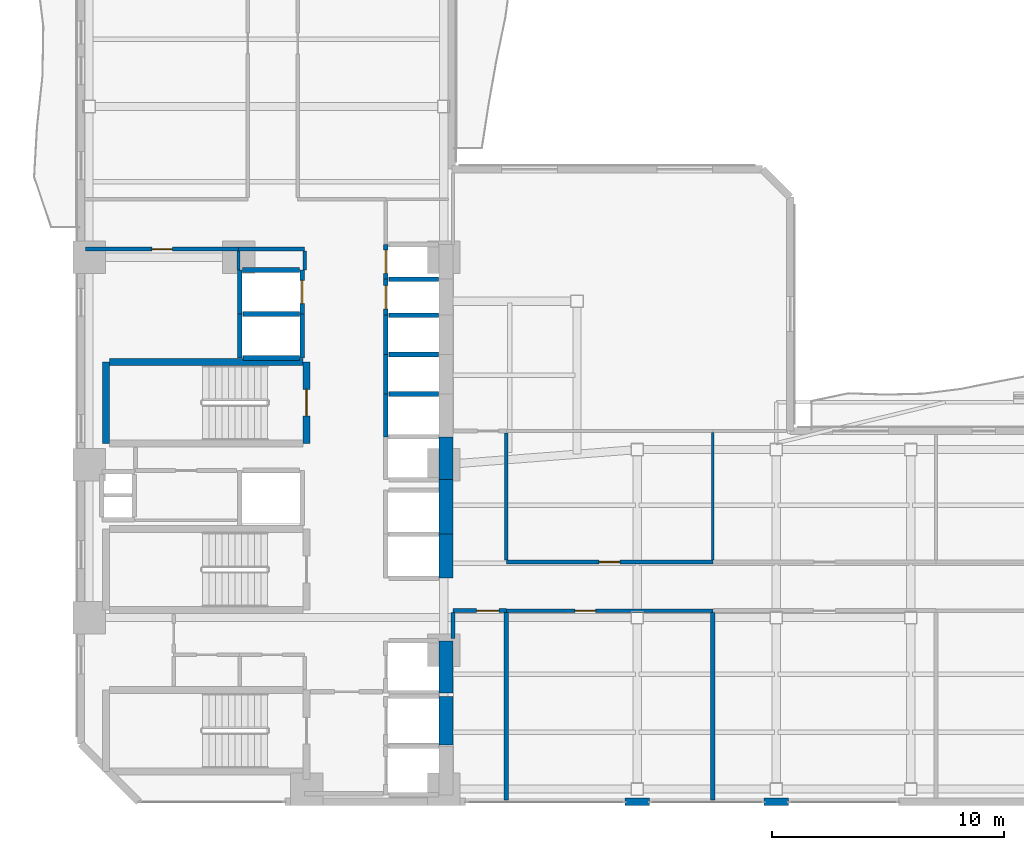
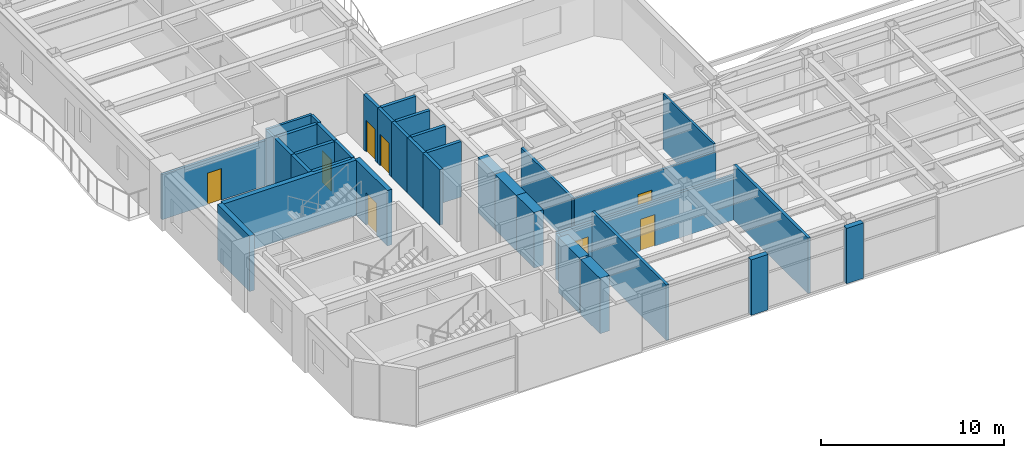
# One storey, part 10 of 16: 38 walls, 8 doors, 8 openings.
"""IFC4 building model written with IfcOpenShell, lengths in metres."""

from ifc_helpers import new_model, si_unit, direction, frame, frame_2d, origin, place, context, subcontext, project, spatial, rectangle, extrude, material, layer, layer_set, type_object, element, fill, save


model = new_model("IFC4")

# Units and contexts
model_context = context("Model", 3, precision=1e-05, world=origin(), true_north=direction((0.0, 1.0)))
body_context = subcontext(model_context, "Body", "Model", "MODEL_VIEW")
ifc_project = project(units=[si_unit("LENGTHUNIT", "METRE"), si_unit("AREAUNIT", "SQUARE_METRE"), si_unit("VOLUMEUNIT", "CUBIC_METRE"), si_unit("PLANEANGLEUNIT", "RADIAN"), si_unit("MASSUNIT", "GRAM", prefix="KILO")], contexts=[model_context])

# Site, building, storey
site_placement = place(None, origin())
site = spatial("IfcSite", under=ifc_project, at=site_placement, CompositionType="ELEMENT")
building_placement = place(site_placement, origin())
building = spatial("IfcBuilding", under=site, at=building_placement, Name="Mawjaban Terraces University", CompositionType="ELEMENT")
storey_placement = place(building_placement, frame((0.0, 0.0, 54.39990234375)))
storey = spatial("IfcBuildingStorey", under=building, at=storey_placement, Name="L12", CompositionType="ELEMENT", Elevation=54.39990234375)

# Wall, opening, door
ifc_material_1 = material(Name="Acoustic masonry blockwork", Category="masonry")
ifc_layer_1 = layer(ifc_material_1, 0.179931640625)
ifc_layer_set_1 = layer_set([ifc_layer_1], Name="Acoustic masonry blockwork")
wall_type_1 = type_object("IfcWallType", Name="AcousticStudioWall_180", PredefinedType="PARTITIONING", material=ifc_layer_set_1)
wall_1_placement = place(storey_placement, frame((38.050048828125, 8.25, 0.0), z_axis=(0.0, 0.0, 1.0), x_axis=(1.0, 0.0, 0.0)))
wall_1 = element("IfcWall", 1, at=wall_1_placement, inside=storey, type_object=wall_type_1, Name="L12 East Academic Corridor Vestibule Partition 14", PredefinedType="PARTITIONING", context=body_context, shape_type="SweptSolid", body=[
    extrude(rectangle(XDim=2.300048828125, YDim=0.179931640625, at=frame_2d((1.14990234375, 0.0))), origin(), (0.0, 0.0, 1.0), 2.9951171875),
])
opening_1_placement = place(wall_1_placement, frame((1.02490234375, 0.0, 0.0)))
opening_1 = element("IfcOpeningElement", 2, at=opening_1_placement, cuts=wall_1, Name="Opening ID-095", PredefinedType="OPENING", context=body_context, shape_type="SweptSolid", body=[
    extrude(rectangle(XDim=0.949951171875, YDim=2.10009765625, at=frame_2d((0.47509765625, 1.050048828125))), frame((0.0, 0.099853515625, 0.0), z_axis=(0.0, -1.0, 0.0), x_axis=(1.0, 0.0, 0.0)), (0.0, 0.0, 1.0), 0.199951171875),
])
ifc_material_2 = material(Name="Powder-coated steel frame and solid acoustic timber leaf", Category="steel")
door_type_1 = type_object("IfcDoorType", Name="StudioDoor_950x2100", OperationType="NOTDEFINED", PredefinedType="DOOR", material=ifc_material_2)
door_1_placement = place(opening_1_placement, origin())
door_1 = element("IfcDoor", 3, at=door_1_placement, inside=storey, type_object=door_type_1, Name="L12 Media Workshop 1 Door", OperationType="SINGLE_SWING_RIGHT", OverallHeight=2.10009765625, OverallWidth=0.949951171875, PredefinedType="DOOR", context=body_context, shape_type="SweptSolid", body=[
    extrude(rectangle(XDim=0.949951171875, YDim=2.10009765625, at=frame_2d((0.47509765625, 1.050048828125))), frame((0.0, 0.02490234375, 0.0), z_axis=(0.0, -1.0, 0.0), x_axis=(1.0, 0.0, 0.0)), (0.0, 0.0, 1.0), 0.050048828125),
])
fill(opening_1, door_1)

# Walls
wall_2_placement = place(storey_placement, frame((38.050048828125, 7.050048828125, 0.0), z_axis=(0.0, 0.0, 1.0), x_axis=(0.0, 1.0, 0.0)))
element("IfcWall", 4, at=wall_2_placement, inside=storey, type_object=wall_type_1, Name="L12 Core Stair and Lift Lobby East Partition 38", PredefinedType="PARTITIONING", context=body_context, shape_type="SweptSolid", body=[
    extrude(rectangle(XDim=1.114990234375, YDim=0.179931640625, at=frame_2d((0.5576171875, 0.0))), origin(), (0.0, 0.0, 1.0), 2.9951171875),
])
for number, where, z_axis, x_axis, name in (
    (5, (40.35009765625, 0.090087890625, 0.0), (0.0, 0.0, 1.0), (0.0, 1.0, 0.0), "L12 Media Workshop 1 Partition 40"),
    (6, (49.260009765625, 0.090087890625, 0.0), (0.0, 0.0, 1.0), (0.0, 1.0, 0.0), "L12 Quiet Reading Room 2 Partition 42"),
):
    element("IfcWall", number, at=place(storey_placement, frame(where, z_axis=z_axis, x_axis=x_axis)), inside=storey, type_object=wall_type_1, Name=name, PredefinedType="PARTITIONING", context=body_context, shape_type="SweptSolid", body=[
        extrude(rectangle(XDim=8.074951171875, YDim=0.179931640625, at=frame_2d((4.03759765625, 0.0))), origin(), (0.0, 0.0, 1.0), 3.690185546875),
    ])
ifc_material_3 = material(Name="Concrete C70/85", Category="concrete")
ifc_layer_2 = layer(ifc_material_3, 0.60009765625)
ifc_layer_set_2 = layer_set([ifc_layer_2], Name="Concrete C70/85")
wall_type_2 = type_object("IfcWallType", Name="CoreShearWall_600", PredefinedType="SHEAR", material=ifc_layer_set_2)
wall_3_placement = place(storey_placement, frame((37.75, 2.449951171875, 0.0), z_axis=(0.0, 0.0, 1.0), x_axis=(0.0, 1.0, 0.0)))
element("IfcWall", 7, at=wall_3_placement, inside=storey, type_object=wall_type_2, Name="L12 Lift FL-2 Hoistway Wall East", PredefinedType="SHEAR", context=body_context, shape_type="SweptSolid", body=[
    extrude(rectangle(XDim=2.10009765625, YDim=0.60009765625, at=frame_2d((1.050048828125, 0.0))), origin(), (0.0, 0.0, 1.0), 3.690185546875),
])
wall_4_placement = place(storey_placement, frame((37.75, 4.699951171875, 0.0), z_axis=(0.0, 0.0, 1.0), x_axis=(0.0, 1.0, 0.0)))
element("IfcWall", 8, at=wall_4_placement, inside=storey, type_object=wall_type_2, Name="L12 Lift SL-1 Hoistway Wall East", PredefinedType="SHEAR", context=body_context, shape_type="SweptSolid", body=[
    extrude(rectangle(XDim=2.25, YDim=0.60009765625, at=frame_2d((1.125, 0.0))), origin(), (0.0, 0.0, 1.0), 3.690185546875),
])
wall_5_placement = place(storey_placement, frame((37.75, 9.64990234375, 0.0), z_axis=(0.0, 0.0, 1.0), x_axis=(0.0, 1.0, 0.0)))
element("IfcWall", 9, at=wall_5_placement, inside=storey, type_object=wall_type_2, Name="L12 Lift PL-H1 Hoistway Wall East", PredefinedType="SHEAR", context=body_context, shape_type="SweptSolid", body=[
    extrude(rectangle(XDim=1.900146484375, YDim=0.60009765625, at=frame_2d((0.9501953125, 0.0))), origin(), (0.0, 0.0, 1.0), 3.690185546875),
])
wall_6_placement = place(storey_placement, frame((37.75, 11.550048828125, 0.0), z_axis=(0.0, 0.0, 1.0), x_axis=(0.0, 1.0, 0.0)))
element("IfcWall", 10, at=wall_6_placement, inside=storey, type_object=wall_type_2, Name="L12 Lift PL-H2 Hoistway Wall East", PredefinedType="SHEAR", context=body_context, shape_type="SweptSolid", body=[
    extrude(rectangle(XDim=2.349853515625, YDim=0.60009765625, at=frame_2d((1.1748046875, 0.0))), origin(), (0.0, 0.0, 1.0), 3.690185546875),
])
wall_7_placement = place(storey_placement, frame((37.75, 13.89990234375, 0.0), z_axis=(0.0, 0.0, 1.0), x_axis=(0.0, 1.0, 0.0)))
element("IfcWall", 11, at=wall_7_placement, inside=storey, type_object=wall_type_2, Name="L12 Lift OL-1 Hoistway Wall East", PredefinedType="SHEAR", context=body_context, shape_type="SweptSolid", body=[
    extrude(rectangle(XDim=1.85009765625, YDim=0.60009765625, at=frame_2d((0.925048828125, 0.0))), origin(), (0.0, 0.0, 1.0), 3.690185546875),
])

# Wall, opening, door
ifc_material_4 = material(Name="Fire-rated gypsum board on steel stud", Category="steel")
ifc_layer_3 = layer(ifc_material_4, 0.159912109375)
ifc_layer_set_3 = layer_set([ifc_layer_3], Name="Fire-rated gypsum board on steel stud")
wall_type_3 = type_object("IfcWallType", Name="CorridorPartition_160", PredefinedType="PARTITIONING", material=ifc_layer_set_3)
wall_8_placement = place(storey_placement, frame((28.800048828125, 23.85009765625, 0.0), z_axis=(0.0, 0.0, 1.0), x_axis=(-1.0, 0.0, 0.0)))
wall_8 = element("IfcWall", 12, at=wall_8_placement, inside=storey, type_object=wall_type_3, Name="L12 Female Toilet Partition 4", PredefinedType="PARTITIONING", context=body_context, shape_type="SweptSolid", body=[
    extrude(rectangle(XDim=6.60009765625, YDim=0.159912109375, at=frame_2d((3.300048828125, 0.0))), origin(), (0.0, 0.0, 1.0), 2.9951171875),
])
opening_2_placement = place(wall_8_placement, frame((2.860107421875, 0.0, 0.0)))
opening_2 = element("IfcOpeningElement", 13, at=opening_2_placement, cuts=wall_8, Name="Opening ID-088", PredefinedType="OPENING", context=body_context, shape_type="SweptSolid", body=[
    extrude(rectangle(XDim=0.8798828125, YDim=2.10009765625, at=frame_2d((0.43994140625, 1.050048828125))), frame((0.0, 0.08984375, 0.0), z_axis=(0.0, -1.0, 0.0), x_axis=(1.0, 0.0, 0.0)), (0.0, 0.0, 1.0), 0.179931640625),
])
door_type_2 = type_object("IfcDoorType", Name="ToiletDoor_880x2100", OperationType="NOTDEFINED", PredefinedType="DOOR", material=ifc_material_2)
door_2_placement = place(opening_2_placement, origin())
door_2 = element("IfcDoor", 14, at=door_2_placement, inside=storey, type_object=door_type_2, Name="L12 Female Toilet Door", OperationType="SINGLE_SWING_LEFT", OverallHeight=2.10009765625, OverallWidth=0.8798828125, PredefinedType="DOOR", context=body_context, shape_type="SweptSolid", body=[
    extrude(rectangle(XDim=0.8798828125, YDim=2.10009765625, at=frame_2d((0.43994140625, 1.050048828125))), frame((0.0, 0.02490234375, 0.0), z_axis=(0.0, -1.0, 0.0), x_axis=(1.0, 0.0, 0.0)), (0.0, 0.0, 1.0), 0.050048828125),
])
fill(opening_2, door_2)

# Wall
wall_9_placement = place(storey_placement, frame((28.800048828125, 23.85009765625, 0.0), z_axis=(0.0, 0.0, 1.0), x_axis=(1.0, 0.0, 0.0)))
element("IfcWall", 15, at=wall_9_placement, inside=storey, type_object=wall_type_3, Name="L12 North Core Cross-Corridor Partition 5", PredefinedType="PARTITIONING", context=body_context, shape_type="SweptSolid", body=[
    extrude(rectangle(XDim=2.849853515625, YDim=0.159912109375, at=frame_2d((1.4248046875, 0.0))), origin(), (0.0, 0.0, 1.0), 3.690185546875),
])

# Wall, opening, door
wall_10_placement = place(storey_placement, frame((40.35009765625, 8.25, 0.0), z_axis=(0.0, 0.0, 1.0), x_axis=(1.0, 0.0, 0.0)))
wall_10 = element("IfcWall", 16, at=wall_10_placement, inside=storey, type_object=wall_type_3, Name="L12 East Academic Spine Corridor Partition 15", PredefinedType="PARTITIONING", context=body_context, shape_type="SweptSolid", body=[
    extrude(rectangle(XDim=8.909912109375, YDim=0.159912109375, at=frame_2d((4.455078125, 0.0))), origin(), (0.0, 0.0, 1.0), 2.9951171875),
])
opening_3_placement = place(wall_10_placement, frame((2.955078125, 0.0, 0.0)))
opening_3 = element("IfcOpeningElement", 17, at=opening_3_placement, cuts=wall_10, Name="Opening ID-090", PredefinedType="OPENING", context=body_context, shape_type="SweptSolid", body=[
    extrude(rectangle(XDim=0.89990234375, YDim=2.10009765625, at=frame_2d((0.449951171875, 1.050048828125))), frame((0.0, 0.08984375, 0.0), z_axis=(0.0, -1.0, 0.0), x_axis=(1.0, 0.0, 0.0)), (0.0, 0.0, 1.0), 0.179931640625),
])
door_type_3 = type_object("IfcDoorType", Name="OfficeDoor_900x2100", OperationType="NOTDEFINED", PredefinedType="DOOR", material=ifc_material_2)
door_3_placement = place(opening_3_placement, origin())
door_3 = element("IfcDoor", 18, at=door_3_placement, inside=storey, type_object=door_type_3, Name="L12 Quiet Reading Room 2 Door", OperationType="SINGLE_SWING_LEFT", OverallHeight=2.10009765625, OverallWidth=0.89990234375, PredefinedType="DOOR", context=body_context, shape_type="SweptSolid", body=[
    extrude(rectangle(XDim=0.89990234375, YDim=2.10009765625, at=frame_2d((0.449951171875, 1.050048828125))), frame((0.0, 0.02490234375, 0.0), z_axis=(0.0, -1.0, 0.0), x_axis=(1.0, 0.0, 0.0)), (0.0, 0.0, 1.0), 0.050048828125),
])
fill(opening_3, door_3)

wall_11_placement = place(storey_placement, frame((49.260009765625, 10.35009765625, 0.0), z_axis=(0.0, 0.0, 1.0), x_axis=(-1.0, 0.0, 0.0)))
wall_11 = element("IfcWall", 19, at=wall_11_placement, inside=storey, type_object=wall_type_3, Name="L12 East Academic Spine Corridor Partition 18", PredefinedType="PARTITIONING", context=body_context, shape_type="SweptSolid", body=[
    extrude(rectangle(XDim=8.909912109375, YDim=0.159912109375, at=frame_2d((4.455078125, 0.0))), origin(), (0.0, 0.0, 1.0), 3.22705078125),
])
opening_4_placement = place(wall_11_placement, frame((4.0048828125, 0.0, 0.0)))
opening_4 = element("IfcOpeningElement", 20, at=opening_4_placement, cuts=wall_11, Name="Opening ID-090", PredefinedType="OPENING", context=body_context, shape_type="SweptSolid", body=[
    extrude(rectangle(XDim=0.89990234375, YDim=2.10009765625, at=frame_2d((0.449951171875, 1.050048828125))), frame((0.0, 0.08984375, 0.0), z_axis=(0.0, -1.0, 0.0), x_axis=(1.0, 0.0, 0.0)), (0.0, 0.0, 1.0), 0.179931640625),
])
door_4_placement = place(opening_4_placement, origin())
door_4 = element("IfcDoor", 21, at=door_4_placement, inside=storey, type_object=door_type_3, Name="L12 Reading Salon 3 Door", OperationType="SINGLE_SWING_RIGHT", OverallHeight=2.10009765625, OverallWidth=0.89990234375, PredefinedType="DOOR", context=body_context, shape_type="SweptSolid", body=[
    extrude(rectangle(XDim=0.89990234375, YDim=2.10009765625, at=frame_2d((0.449951171875, 1.050048828125))), frame((0.0, 0.02490234375, 0.0), z_axis=(0.0, -1.0, 0.0), x_axis=(1.0, 0.0, 0.0)), (0.0, 0.0, 1.0), 0.050048828125),
])
fill(opening_4, door_4)

# Walls
wall_12_placement = place(storey_placement, frame((31.64990234375, 23.77490234375, 0.0), z_axis=(0.0, 0.0, 1.0), x_axis=(0.0, -1.0, 0.0)))
element("IfcWall", 22, at=wall_12_placement, inside=storey, type_object=wall_type_3, Name="L12 Passenger Lift Lobby Partition 36", PredefinedType="PARTITIONING", context=body_context, shape_type="SweptSolid", body=[
    extrude(rectangle(XDim=0.824951171875, YDim=0.159912109375, at=frame_2d((0.41259765625, 0.0))), origin(), (0.0, 0.0, 1.0), 3.690185546875),
])
wall_13_placement = place(storey_placement, frame((40.35009765625, 10.425048828125, 0.0), z_axis=(0.0, 0.0, 1.0), x_axis=(0.0, 1.0, 0.0)))
element("IfcWall", 23, at=wall_13_placement, inside=storey, type_object=wall_type_3, Name="L12 East Academic Corridor Vestibule Partition 41", PredefinedType="PARTITIONING", context=body_context, shape_type="SweptSolid", body=[
    extrude(rectangle(XDim=5.5, YDim=0.159912109375, at=frame_2d((2.75, 0.0))), origin(), (0.0, 0.0, 1.0), 3.22705078125),
])
ifc_material_5 = material(Name="Insulated terracotta rainscreen on concrete backup C40/50", Category="masonry")
ifc_layer_4 = layer(ifc_material_5, 0.320068359375)
ifc_layer_set_4 = layer_set([ifc_layer_4], Name="Insulated terracotta rainscreen on concrete backup C40/50")
wall_type_4 = type_object("IfcWallType", Name="ExtTerracottaWall_320", PredefinedType="SOLIDWALL", material=ifc_layer_set_4)
for number, where, z_axis, x_axis, name in (
    (24, (45.47509765625, 0.0, 0.0), (0.0, 0.0, 1.0), (1.0, 0.0, 0.0), "L12 Exterior Terracotta Pier Wall 1.2"),
    (25, (51.47509765625, 0.0, 0.0), (0.0, 0.0, 1.0), (1.0, 0.0, 0.0), "L12 Exterior Terracotta Pier Wall 1.3"),
):
    element("IfcWall", number, at=place(storey_placement, frame(where, z_axis=z_axis, x_axis=x_axis)), inside=storey, type_object=wall_type_4, Name=name, PredefinedType="SOLIDWALL", context=body_context, shape_type="SweptSolid", body=[
        extrude(rectangle(XDim=1.0498046875, YDim=0.320068359375, at=frame_2d((0.52490234375, 0.0))), origin(), (0.0, 0.0, 1.0), 3.690185546875),
    ])
ifc_material_6 = material(Name="Concrete C40/50", Category="concrete")
ifc_layer_5 = layer(ifc_material_6, 0.199951171875)
ifc_layer_set_5 = layer_set([ifc_layer_5], Name="Concrete C40/50")
wall_type_5 = type_object("IfcWallType", Name="FireLobbyWall_200", PredefinedType="SOLIDWALL", material=ifc_layer_set_5)
wall_14_placement = place(storey_placement, frame((35.14990234375, 17.60009765625, 0.0), z_axis=(0.0, 0.0, 1.0), x_axis=(0.0, -1.0, 0.0)))
element("IfcWall", 26, at=wall_14_placement, inside=storey, type_object=wall_type_5, Name="L12 Lift OL-2 Hoistway Wall West", PredefinedType="SOLIDWALL", context=body_context, shape_type="SweptSolid", body=[
    extrude(rectangle(XDim=1.85009765625, YDim=0.199951171875, at=frame_2d((0.925048828125, 0.0))), origin(), (0.0, 0.0, 1.0), 3.690185546875),
])
wall_15_placement = place(storey_placement, frame((37.419921875, 17.60009765625, 0.0), z_axis=(0.0, 0.0, 1.0), x_axis=(-1.0, 0.0, 0.0)))
element("IfcWall", 27, at=wall_15_placement, inside=storey, type_object=wall_type_5, Name="L12 Lift OL-2 Hoistway Wall North", PredefinedType="SOLIDWALL", context=body_context, shape_type="SweptSolid", body=[
    extrude(rectangle(XDim=2.139892578125, YDim=0.199951171875, at=frame_2d((1.06982421875, 0.0))), origin(), (0.0, 0.0, 1.0), 3.690185546875),
])
wall_16_placement = place(storey_placement, frame((35.14990234375, 19.300048828125, 0.0), z_axis=(0.0, 0.0, 1.0), x_axis=(0.0, -1.0, 0.0)))
element("IfcWall", 28, at=wall_16_placement, inside=storey, type_object=wall_type_5, Name="L12 Lift PL-M1 Hoistway Wall West", PredefinedType="SOLIDWALL", context=body_context, shape_type="SweptSolid", body=[
    extrude(rectangle(XDim=1.699951171875, YDim=0.199951171875, at=frame_2d((0.85009765625, 0.0))), origin(), (0.0, 0.0, 1.0), 3.690185546875),
])
wall_17_placement = place(storey_placement, frame((37.419921875, 19.300048828125, 0.0), z_axis=(0.0, 0.0, 1.0), x_axis=(-1.0, 0.0, 0.0)))
element("IfcWall", 29, at=wall_17_placement, inside=storey, type_object=wall_type_5, Name="L12 Lift PL-M1 Hoistway Wall North", PredefinedType="SOLIDWALL", context=body_context, shape_type="SweptSolid", body=[
    extrude(rectangle(XDim=2.139892578125, YDim=0.199951171875, at=frame_2d((1.06982421875, 0.0))), origin(), (0.0, 0.0, 1.0), 3.690185546875),
])
wall_18_placement = place(storey_placement, frame((35.14990234375, 21.0, 0.0), z_axis=(0.0, 0.0, 1.0), x_axis=(0.0, -1.0, 0.0)))
element("IfcWall", 30, at=wall_18_placement, inside=storey, type_object=wall_type_5, Name="L12 Lift PL-M2 Hoistway Wall West", PredefinedType="SOLIDWALL", context=body_context, shape_type="SweptSolid", body=[
    extrude(rectangle(XDim=1.699951171875, YDim=0.199951171875, at=frame_2d((0.85009765625, 0.0))), origin(), (0.0, 0.0, 1.0), 3.690185546875),
])
wall_19_placement = place(storey_placement, frame((37.419921875, 21.0, 0.0), z_axis=(0.0, 0.0, 1.0), x_axis=(-1.0, 0.0, 0.0)))
element("IfcWall", 31, at=wall_19_placement, inside=storey, type_object=wall_type_5, Name="L12 Lift PL-M2 Hoistway Wall North", PredefinedType="SOLIDWALL", context=body_context, shape_type="SweptSolid", body=[
    extrude(rectangle(XDim=2.139892578125, YDim=0.199951171875, at=frame_2d((1.06982421875, 0.0))), origin(), (0.0, 0.0, 1.0), 3.690185546875),
])
for number, where, z_axis, x_axis, name in (
    (32, (28.85009765625, 21.050048828125, 0.0), (0.0, 0.0, 1.0), (0.0, -1.0, 0.0), "L12 Lift PL-M3 Hoistway Wall West"),
    (33, (31.550048828125, 19.14990234375, 0.0), (0.0, 0.0, 1.0), (0.0, 1.0, 0.0), "L12 Lift PL-M3 Hoistway Wall East"),
):
    element("IfcWall", number, at=place(storey_placement, frame(where, z_axis=z_axis, x_axis=x_axis)), inside=storey, type_object=wall_type_5, Name=name, PredefinedType="SOLIDWALL", context=body_context, shape_type="SweptSolid", body=[
        extrude(rectangle(XDim=1.900146484375, YDim=0.199951171875, at=frame_2d((0.9501953125, 0.0))), origin(), (0.0, 0.0, 1.0), 3.690185546875),
    ])
for number, where, z_axis, x_axis, name in (
    (34, (28.97998046875, 19.14990234375, 0.0), (0.0, 0.0, 1.0), (1.0, 0.0, 0.0), "L12 Lift PL-M3 Hoistway Wall South"),
    (35, (31.419921875, 21.050048828125, 0.0), (0.0, 0.0, 1.0), (-1.0, 0.0, 0.0), "L12 Lift PL-M3 Hoistway Wall North"),
):
    element("IfcWall", number, at=place(storey_placement, frame(where, z_axis=z_axis, x_axis=x_axis)), inside=storey, type_object=wall_type_5, Name=name, PredefinedType="SOLIDWALL", context=body_context, shape_type="SweptSolid", body=[
        extrude(rectangle(XDim=2.43994140625, YDim=0.199951171875, at=frame_2d((1.219970703125, 0.0))), origin(), (0.0, 0.0, 1.0), 3.690185546875),
    ])

# Wall, opening, door
wall_20_placement = place(storey_placement, frame((35.14990234375, 22.550048828125, 0.0), z_axis=(0.0, 0.0, 1.0), x_axis=(0.0, -1.0, 0.0)))
wall_20 = element("IfcWall", 36, at=wall_20_placement, inside=storey, type_object=wall_type_5, Name="L12 Lift PL-L1 Hoistway Wall West", PredefinedType="SOLIDWALL", context=body_context, shape_type="SweptSolid", body=[
    extrude(rectangle(XDim=1.550048828125, YDim=0.199951171875, at=frame_2d((0.77490234375, 0.0))), origin(), (0.0, 0.0, 1.0), 3.690185546875),
])
opening_5_placement = place(wall_20_placement, frame((0.27490234375, 0.0, 0.0)))
opening_5 = element("IfcOpeningElement", 37, at=opening_5_placement, cuts=wall_20, Name="Opening LD-PL-L1", PredefinedType="OPENING", context=body_context, shape_type="SweptSolid", body=[
    extrude(rectangle(XDim=1.0, YDim=2.10009765625, at=frame_2d((0.5, 1.050048828125))), frame((0.0, 0.10986328125, 0.0), z_axis=(0.0, -1.0, 0.0), x_axis=(1.0, 0.0, 0.0)), (0.0, 0.0, 1.0), 0.219970703125),
])
ifc_material_7 = material(Name="Powder-coated steel frame and fire-rated steel-faced leaf", Category="steel")
door_type_4 = type_object("IfcDoorType", Name="LiftLandingSliding_1000x2100", OperationType="NOTDEFINED", PredefinedType="DOOR", material=ifc_material_7)
door_5_placement = place(opening_5_placement, origin())
door_5 = element("IfcDoor", 38, at=door_5_placement, inside=storey, type_object=door_type_4, Name="L12 Lift PL-L1 Sliding Landing Door", OperationType="DOUBLE_DOOR_SLIDING", OverallHeight=2.10009765625, OverallWidth=1.0, PredefinedType="DOOR", context=body_context, shape_type="SweptSolid", body=[
    extrude(rectangle(XDim=1.0, YDim=2.10009765625, at=frame_2d((0.5, 1.050048828125))), frame((0.0, 0.02490234375, 0.0), z_axis=(0.0, -1.0, 0.0), x_axis=(1.0, 0.0, 0.0)), (0.0, 0.0, 1.0), 0.050048828125),
])
fill(opening_5, door_5)

# Wall
wall_21_placement = place(storey_placement, frame((37.419921875, 22.550048828125, 0.0), z_axis=(0.0, 0.0, 1.0), x_axis=(-1.0, 0.0, 0.0)))
element("IfcWall", 39, at=wall_21_placement, inside=storey, type_object=wall_type_5, Name="L12 Lift PL-L1 Hoistway Wall North", PredefinedType="SOLIDWALL", context=body_context, shape_type="SweptSolid", body=[
    extrude(rectangle(XDim=2.139892578125, YDim=0.199951171875, at=frame_2d((1.06982421875, 0.0))), origin(), (0.0, 0.0, 1.0), 3.690185546875),
])

# Wall, opening, door
wall_22_placement = place(storey_placement, frame((35.14990234375, 24.050048828125, 0.0), z_axis=(0.0, 0.0, 1.0), x_axis=(0.0, -1.0, 0.0)))
wall_22 = element("IfcWall", 40, at=wall_22_placement, inside=storey, type_object=wall_type_5, Name="L12 Lift PL-L2 Hoistway Wall West", PredefinedType="SOLIDWALL", context=body_context, shape_type="SweptSolid", body=[
    extrude(rectangle(XDim=1.5, YDim=0.199951171875, at=frame_2d((0.75, 0.0))), origin(), (0.0, 0.0, 1.0), 3.690185546875),
])
opening_6_placement = place(wall_22_placement, frame((0.25, 0.0, 0.0)))
opening_6 = element("IfcOpeningElement", 41, at=opening_6_placement, cuts=wall_22, Name="Opening LD-PL-L2", PredefinedType="OPENING", context=body_context, shape_type="SweptSolid", body=[
    extrude(rectangle(XDim=1.0, YDim=2.10009765625, at=frame_2d((0.5, 1.050048828125))), frame((0.0, 0.10986328125, 0.0), z_axis=(0.0, -1.0, 0.0), x_axis=(1.0, 0.0, 0.0)), (0.0, 0.0, 1.0), 0.219970703125),
])
door_6_placement = place(opening_6_placement, origin())
door_6 = element("IfcDoor", 42, at=door_6_placement, inside=storey, type_object=door_type_4, Name="L12 Lift PL-L2 Sliding Landing Door", OperationType="DOUBLE_DOOR_SLIDING", OverallHeight=2.10009765625, OverallWidth=1.0, PredefinedType="DOOR", context=body_context, shape_type="SweptSolid", body=[
    extrude(rectangle(XDim=1.0, YDim=2.10009765625, at=frame_2d((0.5, 1.050048828125))), frame((0.0, 0.02490234375, 0.0), z_axis=(0.0, -1.0, 0.0), x_axis=(1.0, 0.0, 0.0)), (0.0, 0.0, 1.0), 0.050048828125),
])
fill(opening_6, door_6)

# Wall
wall_23_placement = place(storey_placement, frame((28.85009765625, 22.949951171875, 0.0), z_axis=(0.0, 0.0, 1.0), x_axis=(0.0, -1.0, 0.0)))
element("IfcWall", 43, at=wall_23_placement, inside=storey, type_object=wall_type_5, Name="L12 Lift PL-L3 Hoistway Wall West", PredefinedType="SOLIDWALL", context=body_context, shape_type="SweptSolid", body=[
    extrude(rectangle(XDim=1.89990234375, YDim=0.199951171875, at=frame_2d((0.949951171875, 0.0))), origin(), (0.0, 0.0, 1.0), 3.690185546875),
])

# Wall, opening, door
wall_24_placement = place(storey_placement, frame((31.550048828125, 21.050048828125, 0.0), z_axis=(0.0, 0.0, 1.0), x_axis=(0.0, 1.0, 0.0)))
wall_24 = element("IfcWall", 44, at=wall_24_placement, inside=storey, type_object=wall_type_5, Name="L12 Lift PL-L3 Hoistway Wall East", PredefinedType="SOLIDWALL", context=body_context, shape_type="SweptSolid", body=[
    extrude(rectangle(XDim=1.89990234375, YDim=0.199951171875, at=frame_2d((0.949951171875, 0.0))), origin(), (0.0, 0.0, 1.0), 3.690185546875),
])
opening_7_placement = place(wall_24_placement, frame((0.449951171875, 0.0, 0.0)))
opening_7 = element("IfcOpeningElement", 45, at=opening_7_placement, cuts=wall_24, Name="Opening LD-PL-L3", PredefinedType="OPENING", context=body_context, shape_type="SweptSolid", body=[
    extrude(rectangle(XDim=1.0, YDim=2.10009765625, at=frame_2d((0.5, 1.050048828125))), frame((0.0, 0.10986328125, 0.0), z_axis=(0.0, -1.0, 0.0), x_axis=(1.0, 0.0, 0.0)), (0.0, 0.0, 1.0), 0.219970703125),
])
door_7_placement = place(opening_7_placement, origin())
door_7 = element("IfcDoor", 46, at=door_7_placement, inside=storey, type_object=door_type_4, Name="L12 Lift PL-L3 Sliding Landing Door", OperationType="DOUBLE_DOOR_SLIDING", OverallHeight=2.10009765625, OverallWidth=1.0, PredefinedType="DOOR", context=body_context, shape_type="SweptSolid", body=[
    extrude(rectangle(XDim=1.0, YDim=2.10009765625, at=frame_2d((0.5, 1.050048828125))), frame((0.0, 0.02490234375, 0.0), z_axis=(0.0, -1.0, 0.0), x_axis=(1.0, 0.0, 0.0)), (0.0, 0.0, 1.0), 0.050048828125),
])
fill(opening_7, door_7)

# Walls
wall_25_placement = place(storey_placement, frame((31.429931640625, 22.949951171875, 0.0), z_axis=(0.0, 0.0, 1.0), x_axis=(-1.0, 0.0, 0.0)))
element("IfcWall", 47, at=wall_25_placement, inside=storey, type_object=wall_type_5, Name="L12 Lift PL-L3 Hoistway Wall North", PredefinedType="SOLIDWALL", context=body_context, shape_type="SweptSolid", body=[
    extrude(rectangle(XDim=2.4599609375, YDim=0.199951171875, at=frame_2d((1.22998046875, 0.0))), origin(), (0.0, 0.0, 1.0), 3.690185546875),
])
ifc_material_8 = material(Name="Gypsum plasterboard on steel stud", Category="steel")
ifc_layer_6 = layer(ifc_material_8, 0.125)
ifc_layer_set_6 = layer_set([ifc_layer_6], Name="Gypsum plasterboard on steel stud")
wall_type_6 = type_object("IfcWallType", Name="OfficePartition_125", PredefinedType="PARTITIONING", material=ifc_layer_set_6)
wall_26_placement = place(storey_placement, frame((49.260009765625, 10.425048828125, 0.0), z_axis=(0.0, 0.0, 1.0), x_axis=(0.0, 1.0, 0.0)))
element("IfcWall", 48, at=wall_26_placement, inside=storey, type_object=wall_type_6, Name="L12 Reading Salon 3 Partition 43", PredefinedType="PARTITIONING", context=body_context, shape_type="SweptSolid", body=[
    extrude(rectangle(XDim=5.51806640625, YDim=0.125, at=frame_2d((2.759033203125, 0.0))), origin(), (0.0, 0.0, 1.0), 3.690185546875),
])
ifc_material_9 = material(Name="Concrete C60/75", Category="concrete")
ifc_layer_7 = layer(ifc_material_9, 0.300048828125)
ifc_layer_set_7 = layer_set([ifc_layer_7], Name="Concrete C60/75")
wall_type_7 = type_object("IfcWallType", Name="StairShaftWall_300", PredefinedType="SHEAR", material=ifc_layer_set_7)
wall_27_placement = place(storey_placement, frame((31.580078125, 18.97998046875, 0.0), z_axis=(0.0, 0.0, 1.0), x_axis=(-1.0, 0.0, 0.0)))
element("IfcWall", 49, at=wall_27_placement, inside=storey, type_object=wall_type_7, Name="L12 ST-2 Stair Shaft Wall 1", PredefinedType="SHEAR", context=body_context, shape_type="SweptSolid", body=[
    extrude(rectangle(XDim=8.360107421875, YDim=0.300048828125, at=frame_2d((4.18017578125, 0.0))), origin(), (0.0, 0.0, 1.0), 3.690185546875),
])
wall_28_placement = place(storey_placement, frame((23.070068359375, 18.97998046875, 0.0), z_axis=(0.0, 0.0, 1.0), x_axis=(0.0, -1.0, 0.0)))
element("IfcWall", 50, at=wall_28_placement, inside=storey, type_object=wall_type_7, Name="L12 ST-2 Stair Shaft Wall 2", PredefinedType="SHEAR", context=body_context, shape_type="SweptSolid", body=[
    extrude(rectangle(XDim=3.510009765625, YDim=0.300048828125, at=frame_2d((1.7548828125, 0.0))), origin(), (0.0, 0.0, 1.0), 3.690185546875),
])

# Wall, opening, door
wall_29_placement = place(storey_placement, frame((31.72998046875, 15.469970703125, 0.0), z_axis=(0.0, 0.0, 1.0), x_axis=(0.0, 1.0, 0.0)))
wall_29 = element("IfcWall", 51, at=wall_29_placement, inside=storey, type_object=wall_type_7, Name="L12 ST-2 Stair Shaft Wall 4", PredefinedType="SHEAR", context=body_context, shape_type="SweptSolid", body=[
    extrude(rectangle(XDim=3.510009765625, YDim=0.300048828125, at=frame_2d((1.7548828125, 0.0))), origin(), (0.0, 0.0, 1.0), 3.690185546875),
])
opening_8_placement = place(wall_29_placement, frame((1.179931640625, 0.0, 0.0)))
opening_8 = element("IfcOpeningElement", 52, at=opening_8_placement, cuts=wall_29, Name="Opening FD-115", PredefinedType="OPENING", context=body_context, shape_type="SweptSolid", body=[
    extrude(rectangle(XDim=1.14990234375, YDim=2.14990234375, at=frame_2d((0.574951171875, 1.074951171875))), frame((0.0, 0.159912109375, 0.0), z_axis=(0.0, -1.0, 0.0), x_axis=(1.0, 0.0, 0.0)), (0.0, 0.0, 1.0), 0.320068359375),
])
door_type_5 = type_object("IfcDoorType", Name="FireStairDoor_1150x2150", OperationType="NOTDEFINED", PredefinedType="DOOR", material=ifc_material_7)
door_8_placement = place(opening_8_placement, origin())
door_8 = element("IfcDoor", 53, at=door_8_placement, inside=storey, type_object=door_type_5, Name="L12 ST-2 Pressurised Stair Fire Door", OperationType="SINGLE_SWING_RIGHT", OverallHeight=2.14990234375, OverallWidth=1.14990234375, PredefinedType="DOOR", context=body_context, shape_type="SweptSolid", body=[
    extrude(rectangle(XDim=1.14990234375, YDim=2.14990234375, at=frame_2d((0.574951171875, 1.074951171875))), frame((0.0, 0.02490234375, 0.0), z_axis=(0.0, -1.0, 0.0), x_axis=(1.0, 0.0, 0.0)), (0.0, 0.0, 1.0), 0.050048828125),
])
fill(opening_8, door_8)

# Wall
ifc_material_10 = material(Name="Cement-board wet-room partition", Category="masonry")
ifc_layer_8 = layer(ifc_material_10, 0.135009765625)
ifc_layer_set_8 = layer_set([ifc_layer_8], Name="Cement-board wet-room partition")
wall_type_8 = type_object("IfcWallType", Name="WetRoomPartition_135", PredefinedType="PARTITIONING", material=ifc_layer_set_8)
wall_30_placement = place(storey_placement, frame((28.800048828125, 22.949951171875, 0.0), z_axis=(0.0, 0.0, 1.0), x_axis=(0.0, 1.0, 0.0)))
element("IfcWall", 54, at=wall_30_placement, inside=storey, type_object=wall_type_8, Name="L12 Female Toilet Partition 29", PredefinedType="PARTITIONING", context=body_context, shape_type="SweptSolid", body=[
    extrude(rectangle(XDim=0.824951171875, YDim=0.135009765625, at=frame_2d((0.41259765625, 0.0))), origin(), (0.0, 0.0, 1.0), 3.690185546875),
])

save(model, "model.ifc")
